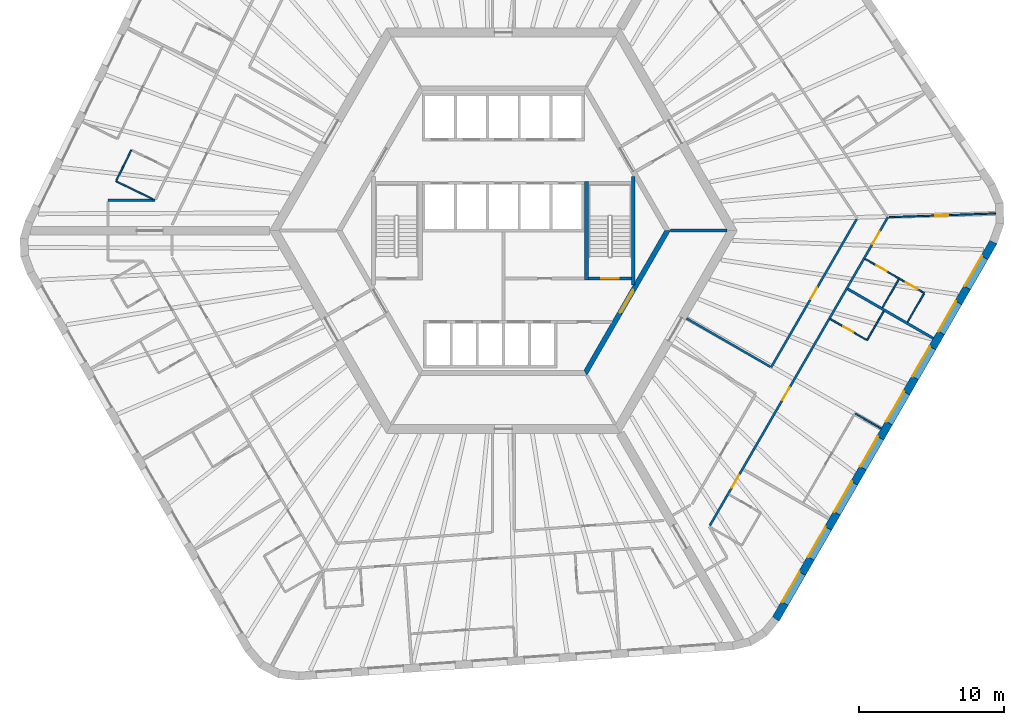
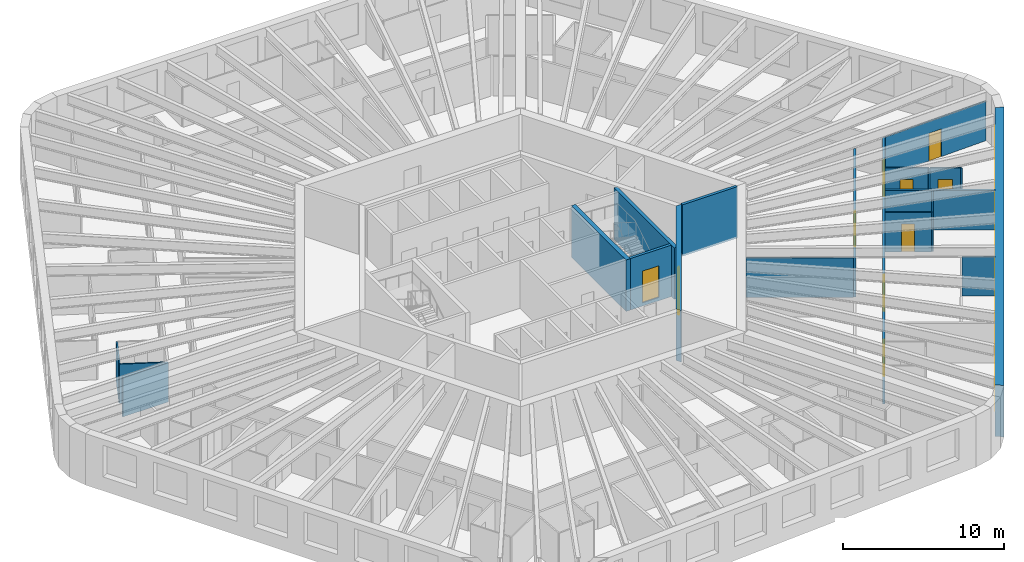
# One storey, part 6 of 12: 21 walls, 10 doors, 8 windows, 18 openings.
"""IFC4 building model written with IfcOpenShell, lengths in metres."""

from ifc_helpers import new_model, si_unit, direction, frame, frame_2d, origin, place, context, subcontext, project, spatial, polyline, rectangle, outline, extrude, material, layer, layer_set, type_object, element, fill, save


model = new_model("IFC4")

# Units and contexts
model_context = context("Model", 3, precision=1e-05, world=origin(), true_north=direction((0.0, 1.0)))
body_context = subcontext(model_context, "Body", "Model", "MODEL_VIEW")
ifc_project = project(units=[si_unit("LENGTHUNIT", "METRE"), si_unit("AREAUNIT", "SQUARE_METRE"), si_unit("VOLUMEUNIT", "CUBIC_METRE"), si_unit("PLANEANGLEUNIT", "RADIAN"), si_unit("MASSUNIT", "GRAM", prefix="KILO")], contexts=[model_context])

# Site, building, storey
site_placement = place(None, origin())
site = spatial("IfcSite", under=ifc_project, at=site_placement, CompositionType="ELEMENT")
building_placement = place(site_placement, origin())
building = spatial("IfcBuilding", under=site, at=building_placement, Name="Tarnside Tower", CompositionType="ELEMENT")
storey_placement = place(building_placement, frame((0.0, 0.0, 53.10009765625)))
storey = spatial("IfcBuildingStorey", under=building, at=storey_placement, Name="L10", CompositionType="ELEMENT", Elevation=53.10009765625)

# Walls
ifc_material_1 = material(Name="Gypsum board partition on steel studs", Category="steel")
ifc_layer_1 = layer(ifc_material_1, 0.10009765625)
ifc_layer_set_1 = layer_set([ifc_layer_1], Name="Bathroom wall 100")
wall_type_1 = type_object("IfcWallType", Name="Bathroom wall 100", PredefinedType="PARTITIONING", material=ifc_layer_set_1)
wall_1_placement = place(storey_placement, frame((-24.21875, 2.175048828125, 0.0), z_axis=(0.0, 0.0, 1.0), x_axis=(-0.898802451516, 0.438353913122, 0.0)))
element("IfcWall", 1, at=wall_1_placement, inside=storey, type_object=wall_type_1, Name="Bathroom wall 02096", PredefinedType="PARTITIONING", context=body_context, shape_type="SweptSolid", body=[
    extrude(rectangle(XDim=2.828857421875, YDim=0.10009765625, at=frame_2d((1.41455078125, 0.0))), origin(), (0.0, 0.0, 1.0), 2.98779296875),
])
wall_2_placement = place(storey_placement, frame((-26.739501953125, 3.4599609375, 0.0), z_axis=(0.0, 0.0, 1.0), x_axis=(0.438382697704, 0.89878841245, 0.0)))
element("IfcWall", 2, at=wall_2_placement, inside=storey, type_object=wall_type_1, Name="Bathroom wall 02097", PredefinedType="PARTITIONING", context=body_context, shape_type="SweptSolid", body=[
    extrude(rectangle(XDim=2.35009765625, YDim=0.10009765625, at=frame_2d((1.175048828125, 0.0))), origin(), (0.0, 0.0, 1.0), 2.98779296875),
])
wall_3_placement = place(storey_placement, frame((26.28759765625, -5.56884765625, 0.0), z_axis=(0.0, 0.0, 1.0), x_axis=(-0.500015210774, -0.866016621662, 0.0)))
element("IfcWall", 3, at=wall_3_placement, inside=storey, type_object=wall_type_1, Name="Bathroom wall 02133", PredefinedType="PARTITIONING", context=body_context, shape_type="SweptSolid", body=[
    extrude(rectangle(XDim=2.31005859375, YDim=0.10009765625, at=frame_2d((1.155029296875, 0.0))), origin(), (0.0, 0.0, 1.0), 2.98779296875),
])

# Wall, opening, door
wall_4_placement = place(storey_placement, frame((25.089111328125, -7.544189453125, 0.0), z_axis=(0.0, 0.0, 1.0), x_axis=(-0.866018712932, 0.500011588718, 0.0)))
wall_4 = element("IfcWall", 4, at=wall_4_placement, inside=storey, type_object=wall_type_1, Name="Bathroom wall 02134", PredefinedType="PARTITIONING", context=body_context, shape_type="SweptSolid", body=[
    extrude(rectangle(XDim=2.875, YDim=0.10009765625, at=frame_2d((1.4375, 0.0))), origin(), (0.0, 0.0, 1.0), 2.98779296875),
])
opening_1_placement = place(wall_4_placement, frame((1.050048828125, 0.0, 0.0)))
opening_1 = element("IfcOpeningElement", 5, at=opening_1_placement, cuts=wall_4, Name="Opening D-B1", PredefinedType="OPENING", context=body_context, shape_type="SweptSolid", body=[
    extrude(rectangle(XDim=0.800048828125, YDim=2.10009765625, at=frame_2d((0.39990234375, 1.050048828125))), frame((0.0, 0.06005859375, 0.0), z_axis=(0.0, -1.0, 0.0), x_axis=(1.0, 0.0, 0.0)), (0.0, 0.0, 1.0), 0.1201171875),
])
ifc_material_2 = material(Name="Timber door leaf", Category="wood")
door_type_1 = type_object("IfcDoorType", Name="Bathroom door 800", OperationType="NOTDEFINED", PredefinedType="DOOR", material=ifc_material_2)
door_1_placement = place(opening_1_placement, origin())
door_1 = element("IfcDoor", 6, at=door_1_placement, inside=storey, type_object=door_type_1, Name="Bathroom door 02031", OperationType="SINGLE_SWING_LEFT", OverallHeight=2.10009765625, OverallWidth=0.800048828125, PredefinedType="DOOR", context=body_context, shape_type="SweptSolid", body=[
    extrude(rectangle(XDim=0.800048828125, YDim=2.10009765625, at=frame_2d((0.39990234375, 1.050048828125))), frame((0.0, 0.02490234375, 0.0), z_axis=(0.0, -1.0, 0.0), x_axis=(1.0, 0.0, 0.0)), (0.0, 0.0, 1.0), 0.050048828125),
])
fill(opening_1, door_1)

wall_5_placement = place(storey_placement, frame((24.999267578125, -1.949951171875, 0.0), z_axis=(0.0, 0.0, 1.0), x_axis=(0.866073700213, -0.499916338801, 0.0)))
wall_5 = element("IfcWall", 7, at=wall_5_placement, inside=storey, type_object=wall_type_1, Name="Bathroom wall 02141", PredefinedType="PARTITIONING", context=body_context, shape_type="SweptSolid", body=[
    extrude(rectangle(XDim=2.72509765625, YDim=0.10009765625, at=frame_2d((1.362548828125, 0.0))), origin(), (0.0, 0.0, 1.0), 2.98779296875),
])
opening_2_placement = place(wall_5_placement, frame((0.925048828125, 0.0, 0.0)))
opening_2 = element("IfcOpeningElement", 8, at=opening_2_placement, cuts=wall_5, Name="Opening D-B1", PredefinedType="OPENING", context=body_context, shape_type="SweptSolid", body=[
    extrude(rectangle(XDim=0.800048828125, YDim=2.10009765625, at=frame_2d((0.39990234375, 1.050048828125))), frame((0.0, 0.06005859375, 0.0), z_axis=(0.0, -1.0, 0.0), x_axis=(1.0, 0.0, 0.0)), (0.0, 0.0, 1.0), 0.1201171875),
])
door_2_placement = place(opening_2_placement, origin())
door_2 = element("IfcDoor", 9, at=door_2_placement, inside=storey, type_object=door_type_1, Name="Bathroom door 02034", OperationType="SINGLE_SWING_RIGHT", OverallHeight=2.10009765625, OverallWidth=0.800048828125, PredefinedType="DOOR", context=body_context, shape_type="SweptSolid", body=[
    extrude(rectangle(XDim=0.800048828125, YDim=2.10009765625, at=frame_2d((0.39990234375, 1.050048828125))), frame((0.0, 0.02490234375, 0.0), z_axis=(0.0, -1.0, 0.0), x_axis=(1.0, 0.0, 0.0)), (0.0, 0.0, 1.0), 0.050048828125),
])
fill(opening_2, door_2)

# Wall
wall_6_placement = place(storey_placement, frame((26.204345703125, -5.31298828125, 0.0), z_axis=(0.0, 0.0, 1.0), x_axis=(0.49995000081, 0.866054268906, 0.0)))
element("IfcWall", 10, at=wall_6_placement, inside=storey, type_object=wall_type_1, Name="Bathroom wall 02145", PredefinedType="PARTITIONING", context=body_context, shape_type="SweptSolid", body=[
    extrude(rectangle(XDim=2.260009765625, YDim=0.10009765625, at=frame_2d((1.1298828125, 0.0))), origin(), (0.0, 0.0, 1.0), 2.98779296875),
])

# Wall, opening, door
ifc_material_3 = material(Name="Concrete C50/60", Category="concrete")
ifc_layer_2 = layer(ifc_material_3, 0.35009765625)
ifc_layer_set_2 = layer_set([ifc_layer_2], Name="Core block wall 350 C50/60")
wall_type_2 = type_object("IfcWallType", Name="Core block wall 350 C50/60", PredefinedType="SHEAR", material=ifc_layer_set_2)
wall_7_placement = place(storey_placement, frame((5.672607421875, -9.824951171875, -0.150146484375), z_axis=(0.0, 0.0, 1.0), x_axis=(0.499995046907, 0.866028263435, 0.0)))
wall_7 = element("IfcWall", 11, at=wall_7_placement, inside=storey, type_object=wall_type_2, Name="L10 core block wall face 5", PredefinedType="SHEAR", context=body_context, shape_type="SweptSolid", body=[
    extrude(outline(polyline([(-0.10107421875, -0.175048828125), (11.44580078125, -0.175048828125), (11.24365234375, 0.175048828125), (0.10107421875, 0.175048828125), (-0.10107421875, -0.175048828125)])), origin(), (0.0, 0.0, 1.0), 3.900146484375),
])
opening_3_placement = place(wall_7_placement, frame((4.80126953125, 0.0, 0.14990234375)))
opening_3 = element("IfcOpeningElement", 12, at=opening_3_placement, cuts=wall_7, Name="Opening CD-FFL", PredefinedType="OPENING", context=body_context, shape_type="SweptSolid", body=[
    extrude(rectangle(XDim=1.800048828125, YDim=2.39990234375, at=frame_2d((0.89990234375, 1.199951171875))), frame((0.0, 0.18505859375, 0.0), z_axis=(0.0, -1.0, 0.0), x_axis=(1.0, 0.0, 0.0)), (0.0, 0.0, 1.0), 0.3701171875),
])
ifc_material_4 = material(Name="Steel fire door", Category="steel")
door_type_2 = type_object("IfcDoorType", Name="Firefighting lobby double door FD60S 1800x2400", OperationType="NOTDEFINED", PredefinedType="DOOR", material=ifc_material_4)
door_3_placement = place(opening_3_placement, origin())
door_3 = element("IfcDoor", 13, at=door_3_placement, inside=storey, type_object=door_type_2, Name="L10 lobby block door P4", OperationType="DOUBLE_DOOR_SINGLE_SWING", OverallHeight=2.39990234375, OverallWidth=1.800048828125, PredefinedType="DOOR", context=body_context, shape_type="SweptSolid", body=[
    extrude(rectangle(XDim=1.800048828125, YDim=2.39990234375, at=frame_2d((0.89990234375, 1.199951171875))), frame((0.0, 0.02490234375, 0.0), z_axis=(0.0, -1.0, 0.0), x_axis=(1.0, 0.0, 0.0)), (0.0, 0.0, 1.0), 0.050048828125),
])
fill(opening_3, door_3)

# Wall
ifc_layer_3 = layer(ifc_material_1, 0.14990234375)
ifc_layer_set_3 = layer_set([ifc_layer_3], Name="Corridor wall 150 EI 60")
wall_type_3 = type_object("IfcWallType", Name="Corridor wall 150 EI 60", PredefinedType="PARTITIONING", material=ifc_layer_set_3)
wall_8_placement = place(storey_placement, frame((-24.06494140625, 2.10009765625, 0.0), z_axis=(0.0, 0.0, 1.0), x_axis=(-1.0, 0.0, 0.0)))
element("IfcWall", 14, at=wall_8_placement, inside=storey, type_object=wall_type_3, Name="Corridor wall 02009", PredefinedType="PARTITIONING", context=body_context, shape_type="SweptSolid", body=[
    extrude(rectangle(XDim=3.25537109375, YDim=0.14990234375, at=frame_2d((1.627685546875, 0.0))), origin(), (0.0, 0.0, 1.0), 2.98779296875),
])

# Wall, openings, doors
wall_9_placement = place(storey_placement, frame((14.27490234375, -20.375, 0.0), z_axis=(0.0, 0.0, 1.0), x_axis=(0.500001098408, 0.866024769617, 0.0)))
wall_9 = element("IfcWall", 15, at=wall_9_placement, inside=storey, type_object=wall_type_3, Name="Corridor wall 02050", PredefinedType="PARTITIONING", context=body_context, shape_type="SweptSolid", body=[
    extrude(rectangle(XDim=24.5986328125, YDim=0.14990234375, at=frame_2d((12.29931640625, 0.0))), origin(), (0.0, 0.0, 1.0), 2.98779296875),
])
opening_4_placement = place(wall_9_placement, frame((3.01611328125, 0.0, 0.0)))
opening_4 = element("IfcOpeningElement", 16, at=opening_4_placement, cuts=wall_9, Name="Opening D-E1", PredefinedType="OPENING", context=body_context, shape_type="SweptSolid", body=[
    extrude(rectangle(XDim=1.0, YDim=2.10009765625, at=frame_2d((0.5, 1.050048828125))), frame((0.0, 0.0849609375, 0.0), z_axis=(0.0, -1.0, 0.0), x_axis=(1.0, 0.0, 0.0)), (0.0, 0.0, 1.0), 0.169921875),
])
opening_5_placement = place(wall_9_placement, frame((10.018798828125, 0.0, 0.0)))
opening_5 = element("IfcOpeningElement", 17, at=opening_5_placement, cuts=wall_9, Name="Opening D-E1", PredefinedType="OPENING", context=body_context, shape_type="SweptSolid", body=[
    extrude(rectangle(XDim=1.0, YDim=2.10009765625, at=frame_2d((0.5, 1.050048828125))), frame((0.0, 0.0849609375, 0.0), z_axis=(0.0, -1.0, 0.0), x_axis=(1.0, 0.0, 0.0)), (0.0, 0.0, 1.0), 0.169921875),
])
opening_6_placement = place(wall_9_placement, frame((22.458740234375, 0.0, 0.0)))
opening_6 = element("IfcOpeningElement", 18, at=opening_6_placement, cuts=wall_9, Name="Opening D-E1", PredefinedType="OPENING", context=body_context, shape_type="SweptSolid", body=[
    extrude(rectangle(XDim=1.0, YDim=2.10009765625, at=frame_2d((0.5, 1.050048828125))), frame((0.0, 0.0849609375, 0.0), z_axis=(0.0, -1.0, 0.0), x_axis=(1.0, 0.0, 0.0)), (0.0, 0.0, 1.0), 0.169921875),
])
door_type_3 = type_object("IfcDoorType", Name="Unit entrance door 1000 FD30S", OperationType="NOTDEFINED", PredefinedType="DOOR", material=ifc_material_2)
door_4_placement = place(opening_4_placement, origin())
door_4 = element("IfcDoor", 19, at=door_4_placement, inside=storey, type_object=door_type_3, Name="Unit door 02028", OperationType="SINGLE_SWING_RIGHT", OverallHeight=2.10009765625, OverallWidth=1.0, PredefinedType="DOOR", context=body_context, shape_type="SweptSolid", body=[
    extrude(rectangle(XDim=1.0, YDim=2.10009765625, at=frame_2d((0.5, 1.050048828125))), frame((0.0, 0.02490234375, 0.0), z_axis=(0.0, -1.0, 0.0), x_axis=(1.0, 0.0, 0.0)), (0.0, 0.0, 1.0), 0.050048828125),
])
fill(opening_4, door_4)
door_5_placement = place(opening_5_placement, origin())
door_5 = element("IfcDoor", 20, at=door_5_placement, inside=storey, type_object=door_type_3, Name="Unit door 02030", OperationType="SINGLE_SWING_LEFT", OverallHeight=2.10009765625, OverallWidth=1.0, PredefinedType="DOOR", context=body_context, shape_type="SweptSolid", body=[
    extrude(rectangle(XDim=1.0, YDim=2.10009765625, at=frame_2d((0.5, 1.050048828125))), frame((0.0, 0.02490234375, 0.0), z_axis=(0.0, -1.0, 0.0), x_axis=(1.0, 0.0, 0.0)), (0.0, 0.0, 1.0), 0.050048828125),
])
fill(opening_5, door_5)
door_6_placement = place(opening_6_placement, origin())
door_6 = element("IfcDoor", 21, at=door_6_placement, inside=storey, type_object=door_type_3, Name="Unit door 02033", OperationType="SINGLE_SWING_LEFT", OverallHeight=2.10009765625, OverallWidth=1.0, PredefinedType="DOOR", context=body_context, shape_type="SweptSolid", body=[
    extrude(rectangle(XDim=1.0, YDim=2.10009765625, at=frame_2d((0.5, 1.050048828125))), frame((0.0, 0.02490234375, 0.0), z_axis=(0.0, -1.0, 0.0), x_axis=(1.0, 0.0, 0.0)), (0.0, 0.0, 1.0), 0.050048828125),
])
fill(opening_6, door_6)

# Wall, opening, door
wall_10_placement = place(storey_placement, frame((24.411376953125, 0.78173828125, 0.0), z_axis=(0.0, 0.0, 1.0), x_axis=(-0.499996383721, -0.866027491634, 0.0)))
wall_10 = element("IfcWall", 22, at=wall_10_placement, inside=storey, type_object=wall_type_3, Name="Corridor wall 02065", PredefinedType="PARTITIONING", context=body_context, shape_type="SweptSolid", body=[
    extrude(rectangle(XDim=11.8037109375, YDim=0.14990234375, at=frame_2d((5.90185546875, 0.0))), origin(), (0.0, 0.0, 1.0), 2.98779296875),
])
opening_7_placement = place(wall_10_placement, frame((5.451904296875, 0.0, 0.0)))
opening_7 = element("IfcOpeningElement", 23, at=opening_7_placement, cuts=wall_10, Name="Opening D-S1", PredefinedType="OPENING", context=body_context, shape_type="SweptSolid", body=[
    extrude(rectangle(XDim=0.89990234375, YDim=2.10009765625, at=frame_2d((0.449951171875, 1.050048828125))), frame((0.0, 0.0849609375, 0.0), z_axis=(0.0, -1.0, 0.0), x_axis=(1.0, 0.0, 0.0)), (0.0, 0.0, 1.0), 0.169921875),
])
door_type_4 = type_object("IfcDoorType", Name="Service room door 900 FD30S", OperationType="NOTDEFINED", PredefinedType="DOOR", material=ifc_material_2)
door_7_placement = place(opening_7_placement, origin())
door_7 = element("IfcDoor", 24, at=door_7_placement, inside=storey, type_object=door_type_4, Name="Service door 02047", OperationType="SINGLE_SWING_RIGHT", OverallHeight=2.10009765625, OverallWidth=0.89990234375, PredefinedType="DOOR", context=body_context, shape_type="SweptSolid", body=[
    extrude(rectangle(XDim=0.89990234375, YDim=2.10009765625, at=frame_2d((0.449951171875, 1.050048828125))), frame((0.0, 0.02490234375, 0.0), z_axis=(0.0, -1.0, 0.0), x_axis=(1.0, 0.0, 0.0)), (0.0, 0.0, 1.0), 0.050048828125),
])
fill(opening_7, door_7)

# Walls
wall_11_placement = place(storey_placement, frame((18.444580078125, -9.403076171875, 0.0), z_axis=(0.0, 0.0, 1.0), x_axis=(-0.866033317326, 0.499986293093, 0.0)))
element("IfcWall", 25, at=wall_11_placement, inside=storey, type_object=wall_type_3, Name="Corridor wall 02066", PredefinedType="PARTITIONING", context=body_context, shape_type="SweptSolid", body=[
    extrude(rectangle(XDim=6.675048828125, YDim=0.14990234375, at=frame_2d((3.33740234375, 0.0))), origin(), (0.0, 0.0, 1.0), 2.98779296875),
])
ifc_layer_4 = layer(ifc_material_1, 0.179931640625)
ifc_layer_set_4 = layer_set([ifc_layer_4], Name="Demising wall 180 EI 60")
wall_type_4 = type_object("IfcWallType", Name="Demising wall 180 EI 60", PredefinedType="PARTITIONING", material=ifc_layer_set_4)
wall_12_placement = place(storey_placement, frame((29.7099609375, -7.44091796875, 0.0), z_axis=(0.0, 0.0, 1.0), x_axis=(-0.866019982719, 0.500009389444, 0.0)))
element("IfcWall", 26, at=wall_12_placement, inside=storey, type_object=wall_type_4, Name="Demising wall 02137", PredefinedType="PARTITIONING", context=body_context, shape_type="SweptSolid", body=[
    extrude(rectangle(XDim=6.824951171875, YDim=0.179931640625, at=frame_2d((3.41259765625, 0.0))), origin(), (0.0, 0.0, 1.0), 2.98779296875),
])
ifc_material_5 = material(Name="Concrete C40/50", Category="concrete")
ifc_layer_5 = layer(ifc_material_5, 0.199951171875)
ifc_layer_set_5 = layer_set([ifc_layer_5], Name="Lift shaft wall 200 C40/50")
wall_type_5 = type_object("IfcWallType", Name="Lift shaft wall 200 C40/50", PredefinedType="SHEAR", material=ifc_layer_set_5)
wall_13_placement = place(storey_placement, frame((11.547119140625, 0.0, -0.150146484375), z_axis=(0.0, 0.0, 1.0), x_axis=(1.0, 0.0, 0.0)))
element("IfcWall", 27, at=wall_13_placement, inside=storey, type_object=wall_type_5, Name="L10 core partition AR0", PredefinedType="SHEAR", context=body_context, shape_type="SweptSolid", body=[
    extrude(rectangle(XDim=3.92578125, YDim=0.199951171875, at=frame_2d((1.962890625, 0.0))), origin(), (0.0, 0.0, 1.0), 3.900146484375),
])

# Wall, opening, door
wall_14_placement = place(storey_placement, frame((5.89990234375, -3.300048828125, -0.25), z_axis=(0.0, 0.0, 1.0), x_axis=(1.0, 0.0, 0.0)))
wall_14 = element("IfcWall", 28, at=wall_14_placement, inside=storey, type_object=wall_type_5, Name="L10 stair 1 enclosure cap wall s", PredefinedType="SHEAR", context=body_context, shape_type="SweptSolid", body=[
    extrude(rectangle(XDim=2.9501953125, YDim=0.199951171875, at=frame_2d((1.47509765625, 0.0))), origin(), (0.0, 0.0, 1.0), 3.89990234375),
])
opening_8_placement = place(wall_14_placement, frame((0.875, 0.0, 0.25)))
opening_8 = element("IfcOpeningElement", 29, at=opening_8_placement, cuts=wall_14, Name="Opening CD-STR", PredefinedType="OPENING", context=body_context, shape_type="SweptSolid", body=[
    extrude(rectangle(XDim=1.199951171875, YDim=2.39990234375, at=frame_2d((0.60009765625, 1.199951171875))), frame((0.0, 0.10986328125, 0.0), z_axis=(0.0, -1.0, 0.0), x_axis=(1.0, 0.0, 0.0)), (0.0, 0.0, 1.0), 0.219970703125),
])
door_type_5 = type_object("IfcDoorType", Name="Stair door FD60S 1200x2400", OperationType="NOTDEFINED", PredefinedType="DOOR", material=ifc_material_4)
door_8_placement = place(opening_8_placement, origin())
door_8 = element("IfcDoor", 30, at=door_8_placement, inside=storey, type_object=door_type_5, Name="L10 stair 1 door", OperationType="SINGLE_SWING_LEFT", OverallHeight=2.39990234375, OverallWidth=1.199951171875, PredefinedType="DOOR", context=body_context, shape_type="SweptSolid", body=[
    extrude(rectangle(XDim=1.199951171875, YDim=2.39990234375, at=frame_2d((0.60009765625, 1.199951171875))), frame((0.0, 0.02490234375, 0.0), z_axis=(0.0, -1.0, 0.0), x_axis=(1.0, 0.0, 0.0)), (0.0, 0.0, 1.0), 0.050048828125),
])
fill(opening_8, door_8)

# Wall
ifc_layer_6 = layer(ifc_material_1, 0.10009765625)
ifc_layer_set_6 = layer_set([ifc_layer_6], Name="Partition 100")
wall_type_6 = type_object("IfcWallType", Name="Partition 100", PredefinedType="PARTITIONING", material=ifc_layer_set_6)
wall_15_placement = place(storey_placement, frame((24.334716796875, -12.651123046875, 0.0), z_axis=(0.0, 0.0, 1.0), x_axis=(0.865969381856, -0.500097020274, 0.0)))
element("IfcWall", 31, at=wall_15_placement, inside=storey, type_object=wall_type_6, Name="Partition wall 02136", PredefinedType="PARTITIONING", context=body_context, shape_type="SweptSolid", body=[
    extrude(rectangle(XDim=2.0498046875, YDim=0.10009765625, at=frame_2d((1.02490234375, 0.0))), origin(), (0.0, 0.0, 1.0), 2.98779296875),
])

# Wall, opening, door
wall_16_placement = place(storey_placement, frame((27.402587890625, -3.33740234375, 0.0), z_axis=(0.0, 0.0, 1.0), x_axis=(0.866054235095, -0.49995005938, 0.0)))
wall_16 = element("IfcWall", 32, at=wall_16_placement, inside=storey, type_object=wall_type_6, Name="Partition wall 02142", PredefinedType="PARTITIONING", context=body_context, shape_type="SweptSolid", body=[
    extrude(rectangle(XDim=1.949951171875, YDim=0.10009765625, at=frame_2d((0.97509765625, 0.0))), origin(), (0.0, 0.0, 1.0), 2.98779296875),
])
opening_9_placement = place(wall_16_placement, frame((0.5, 0.0, 0.0)))
opening_9 = element("IfcOpeningElement", 33, at=opening_9_placement, cuts=wall_16, Name="Opening D-I1", PredefinedType="OPENING", context=body_context, shape_type="SweptSolid", body=[
    extrude(rectangle(XDim=0.89990234375, YDim=2.10009765625, at=frame_2d((0.449951171875, 1.050048828125))), frame((0.0, 0.06005859375, 0.0), z_axis=(0.0, -1.0, 0.0), x_axis=(1.0, 0.0, 0.0)), (0.0, 0.0, 1.0), 0.1201171875),
])
door_type_6 = type_object("IfcDoorType", Name="Internal door 900", OperationType="NOTDEFINED", PredefinedType="DOOR", material=ifc_material_2)
door_9_placement = place(opening_9_placement, origin())
door_9 = element("IfcDoor", 34, at=door_9_placement, inside=storey, type_object=door_type_6, Name="Internal door 02035", OperationType="SINGLE_SWING_RIGHT", OverallHeight=2.10009765625, OverallWidth=0.89990234375, PredefinedType="DOOR", context=body_context, shape_type="SweptSolid", body=[
    extrude(rectangle(XDim=0.89990234375, YDim=2.10009765625, at=frame_2d((0.449951171875, 1.050048828125))), frame((0.0, 0.02490234375, 0.0), z_axis=(0.0, -1.0, 0.0), x_axis=(1.0, 0.0, 0.0)), (0.0, 0.0, 1.0), 0.050048828125),
])
fill(opening_9, door_9)

# Wall
wall_17_placement = place(storey_placement, frame((29.06640625, -4.355712890625, 0.0), z_axis=(0.0, 0.0, 1.0), x_axis=(-0.500031020067, -0.8660074936, 0.0)))
element("IfcWall", 35, at=wall_17_placement, inside=storey, type_object=wall_type_6, Name="Partition wall 02143", PredefinedType="PARTITIONING", context=body_context, shape_type="SweptSolid", body=[
    extrude(rectangle(XDim=2.260009765625, YDim=0.10009765625, at=frame_2d((1.1298828125, 0.0))), origin(), (0.0, 0.0, 1.0), 2.98779296875),
])

# Wall, opening, door
wall_18_placement = place(storey_placement, frame((34.0234375, 1.188232421875, 0.0), z_axis=(0.0, 0.0, 1.0), x_axis=(-0.999390666539, -0.034904091936, 0.0)))
wall_18 = element("IfcWall", 36, at=wall_18_placement, inside=storey, type_object=wall_type_6, Name="Partition wall 02144", PredefinedType="PARTITIONING", context=body_context, shape_type="SweptSolid", body=[
    extrude(rectangle(XDim=7.365234375, YDim=0.10009765625, at=frame_2d((3.6826171875, 0.0))), origin(), (0.0, 0.0, 1.0), 2.98779296875),
])
opening_10_placement = place(wall_18_placement, frame((3.27685546875, 0.0, 0.0)))
opening_10 = element("IfcOpeningElement", 37, at=opening_10_placement, cuts=wall_18, Name="Opening D-I1", PredefinedType="OPENING", context=body_context, shape_type="SweptSolid", body=[
    extrude(rectangle(XDim=0.89990234375, YDim=2.10009765625, at=frame_2d((0.449951171875, 1.050048828125))), frame((0.0, 0.06005859375, 0.0), z_axis=(0.0, -1.0, 0.0), x_axis=(1.0, 0.0, 0.0)), (0.0, 0.0, 1.0), 0.1201171875),
])
door_10_placement = place(opening_10_placement, origin())
door_10 = element("IfcDoor", 38, at=door_10_placement, inside=storey, type_object=door_type_6, Name="Internal door 02036", OperationType="SINGLE_SWING_LEFT", OverallHeight=2.10009765625, OverallWidth=0.89990234375, PredefinedType="DOOR", context=body_context, shape_type="SweptSolid", body=[
    extrude(rectangle(XDim=0.89990234375, YDim=2.10009765625, at=frame_2d((0.449951171875, 1.050048828125))), frame((0.0, 0.02490234375, 0.0), z_axis=(0.0, -1.0, 0.0), x_axis=(1.0, 0.0, 0.0)), (0.0, 0.0, 1.0), 0.050048828125),
])
fill(opening_10, door_10)

# Walls
ifc_layer_7 = layer(ifc_material_5, 0.25)
ifc_layer_set_7 = layer_set([ifc_layer_7], Name="Stair enclosure wall 250 C40/50")
wall_type_7 = type_object("IfcWallType", Name="Stair enclosure wall 250 C40/50", PredefinedType="SHEAR", material=ifc_layer_set_7)
wall_19_placement = place(storey_placement, frame((8.97509765625, -3.7548828125, -0.25), z_axis=(0.0, 0.0, 1.0), x_axis=(0.0, 1.0, 0.0)))
element("IfcWall", 39, at=wall_19_placement, inside=storey, type_object=wall_type_7, Name="L10 stair 1 enclosure wall outer", PredefinedType="SHEAR", context=body_context, shape_type="SweptSolid", body=[
    extrude(rectangle(XDim=7.509765625, YDim=0.25, at=frame_2d((3.7548828125, 0.0))), origin(), (0.0, 0.0, 1.0), 3.89990234375),
])
ifc_layer_8 = layer(ifc_material_5, 0.300048828125)
ifc_layer_set_8 = layer_set([ifc_layer_8], Name="Stair enclosure wall 300 C40/50")
wall_type_8 = type_object("IfcWallType", Name="Stair enclosure wall 300 C40/50", PredefinedType="SHEAR", material=ifc_layer_set_8)
wall_20_placement = place(storey_placement, frame((5.75, -3.39990234375, -0.25), z_axis=(0.0, 0.0, 1.0), x_axis=(0.0, 1.0, 0.0)))
element("IfcWall", 40, at=wall_20_placement, inside=storey, type_object=wall_type_8, Name="L10 stair 1 enclosure wall inner", PredefinedType="SHEAR", context=body_context, shape_type="SweptSolid", body=[
    extrude(rectangle(XDim=6.7998046875, YDim=0.300048828125, at=frame_2d((3.39990234375, 0.0))), origin(), (0.0, 0.0, 1.0), 3.89990234375),
])

# Wall, openings, windows
ifc_material_6 = material(Name="Facing brick", Category="masonry")
ifc_layer_9 = layer(ifc_material_6, 0.10205078125)
ifc_material_7 = material(Name="Concrete C60/75 precast", Category="concrete")
ifc_layer_10 = layer(ifc_material_7, 0.347900390625)
ifc_material_8 = material(Name="Mineral wool insulation")
ifc_layer_11 = layer(ifc_material_8, 0.10009765625)
ifc_layer_set_9 = layer_set([ifc_layer_9, ifc_layer_10, ifc_layer_11], Name="Tube wall 550 brick faced")
wall_type_9 = type_object("IfcWallType", Name="Tube wall 550 brick faced", PredefinedType="SOLIDWALL", material=ifc_layer_set_9)
wall_21_placement = place(storey_placement, frame((18.830322265625, -26.834716796875, -0.150146484375), z_axis=(0.0, 0.0, 1.0), x_axis=(0.500003800416, 0.866023209602, 0.0)))
wall_21 = element("IfcWall", 41, at=wall_21_placement, inside=storey, type_object=wall_type_9, Name="Tube wall L10 F5 flush 16", PredefinedType="SOLIDWALL", context=body_context, shape_type="SweptSolid", body=[
    extrude(outline(polyline([(-0.0224609375, -0.27490234375), (30.0966796875, -0.27490234375), (30.04541015625, 0.27490234375), (0.0224609375, 0.27490234375), (-0.0224609375, -0.27490234375)])), origin(), (0.0, 0.0, 1.0), 3.900146484375),
])
opening_11_placement = place(wall_21_placement, frame((1.235595703125, 0.0, 1.050048828125)))
opening_11 = element("IfcOpeningElement", 42, at=opening_11_placement, cuts=wall_21, Name="Opening WH", PredefinedType="OPENING", context=body_context, shape_type="SweptSolid", body=[
    extrude(rectangle(XDim=2.39990234375, YDim=2.39990234375, at=frame_2d((1.199951171875, 1.199951171875))), frame((0.0, 0.28515625, 0.0), z_axis=(0.0, -1.0, 0.0), x_axis=(1.0, 0.0, 0.0)), (0.0, 0.0, 1.0), 0.570068359375),
])
opening_12_placement = place(wall_21_placement, frame((4.83544921875, 0.0, 1.050048828125)))
opening_12 = element("IfcOpeningElement", 43, at=opening_12_placement, cuts=wall_21, Name="Opening WH", PredefinedType="OPENING", context=body_context, shape_type="SweptSolid", body=[
    extrude(rectangle(XDim=2.39990234375, YDim=2.39990234375, at=frame_2d((1.199951171875, 1.199951171875))), frame((0.0, 0.28515625, 0.0), z_axis=(0.0, -1.0, 0.0), x_axis=(1.0, 0.0, 0.0)), (0.0, 0.0, 1.0), 0.570068359375),
])
opening_13_placement = place(wall_21_placement, frame((8.435546875, 0.0, 1.050048828125)))
opening_13 = element("IfcOpeningElement", 44, at=opening_13_placement, cuts=wall_21, Name="Opening WH", PredefinedType="OPENING", context=body_context, shape_type="SweptSolid", body=[
    extrude(rectangle(XDim=2.39990234375, YDim=2.39990234375, at=frame_2d((1.199951171875, 1.199951171875))), frame((0.0, 0.28515625, 0.0), z_axis=(0.0, -1.0, 0.0), x_axis=(1.0, 0.0, 0.0)), (0.0, 0.0, 1.0), 0.570068359375),
])
opening_14_placement = place(wall_21_placement, frame((12.035400390625, 0.0, 1.050048828125)))
opening_14 = element("IfcOpeningElement", 45, at=opening_14_placement, cuts=wall_21, Name="Opening WH", PredefinedType="OPENING", context=body_context, shape_type="SweptSolid", body=[
    extrude(rectangle(XDim=2.39990234375, YDim=2.39990234375, at=frame_2d((1.199951171875, 1.199951171875))), frame((0.0, 0.28515625, 0.0), z_axis=(0.0, -1.0, 0.0), x_axis=(1.0, 0.0, 0.0)), (0.0, 0.0, 1.0), 0.570068359375),
])
opening_15_placement = place(wall_21_placement, frame((15.635498046875, 0.0, 1.050048828125)))
opening_15 = element("IfcOpeningElement", 46, at=opening_15_placement, cuts=wall_21, Name="Opening WH", PredefinedType="OPENING", context=body_context, shape_type="SweptSolid", body=[
    extrude(rectangle(XDim=2.39990234375, YDim=2.39990234375, at=frame_2d((1.199951171875, 1.199951171875))), frame((0.0, 0.28515625, 0.0), z_axis=(0.0, -1.0, 0.0), x_axis=(1.0, 0.0, 0.0)), (0.0, 0.0, 1.0), 0.570068359375),
])
opening_16_placement = place(wall_21_placement, frame((19.235595703125, 0.0, 1.050048828125)))
opening_16 = element("IfcOpeningElement", 47, at=opening_16_placement, cuts=wall_21, Name="Opening WH", PredefinedType="OPENING", context=body_context, shape_type="SweptSolid", body=[
    extrude(rectangle(XDim=2.39990234375, YDim=2.39990234375, at=frame_2d((1.199951171875, 1.199951171875))), frame((0.0, 0.28515625, 0.0), z_axis=(0.0, -1.0, 0.0), x_axis=(1.0, 0.0, 0.0)), (0.0, 0.0, 1.0), 0.570068359375),
])
opening_17_placement = place(wall_21_placement, frame((22.83544921875, 0.0, 1.050048828125)))
opening_17 = element("IfcOpeningElement", 48, at=opening_17_placement, cuts=wall_21, Name="Opening WH", PredefinedType="OPENING", context=body_context, shape_type="SweptSolid", body=[
    extrude(rectangle(XDim=2.39990234375, YDim=2.39990234375, at=frame_2d((1.199951171875, 1.199951171875))), frame((0.0, 0.28515625, 0.0), z_axis=(0.0, -1.0, 0.0), x_axis=(1.0, 0.0, 0.0)), (0.0, 0.0, 1.0), 0.570068359375),
])
opening_18_placement = place(wall_21_placement, frame((26.435546875, 0.0, 1.050048828125)))
opening_18 = element("IfcOpeningElement", 49, at=opening_18_placement, cuts=wall_21, Name="Opening WH", PredefinedType="OPENING", context=body_context, shape_type="SweptSolid", body=[
    extrude(rectangle(XDim=2.39990234375, YDim=2.39990234375, at=frame_2d((1.199951171875, 1.199951171875))), frame((0.0, 0.28515625, 0.0), z_axis=(0.0, -1.0, 0.0), x_axis=(1.0, 0.0, 0.0)), (0.0, 0.0, 1.0), 0.570068359375),
])
ifc_material_9 = material(Name="Aluminium-framed double glazing", Category="aluminium")
window_type = type_object("IfcWindowType", Name="Hotel window 2400 x 2400", PartitioningType="DOUBLE_PANEL_VERTICAL", PredefinedType="WINDOW", material=ifc_material_9)
window_1_placement = place(opening_11_placement, frame((0.0, 0.205078125, 0.0)))
window_1 = element("IfcWindow", 50, at=window_1_placement, inside=storey, type_object=window_type, Name="E.WN.L10.F5.00", OverallHeight=2.39990234375, OverallWidth=2.39990234375, PartitioningType="DOUBLE_PANEL_VERTICAL", PredefinedType="WINDOW", context=body_context, shape_type="SweptSolid", body=[
    extrude(rectangle(XDim=2.39990234375, YDim=2.39990234375, at=frame_2d((1.199951171875, 1.199951171875))), frame((0.0, 0.030029296875, 0.0), z_axis=(0.0, -1.0, 0.0), x_axis=(1.0, 0.0, 0.0)), (0.0, 0.0, 1.0), 0.06005859375),
])
fill(opening_11, window_1)
window_2_placement = place(opening_12_placement, frame((0.0, 0.205078125, 0.0)))
window_2 = element("IfcWindow", 51, at=window_2_placement, inside=storey, type_object=window_type, Name="E.WN.L10.F5.01", OverallHeight=2.39990234375, OverallWidth=2.39990234375, PartitioningType="DOUBLE_PANEL_VERTICAL", PredefinedType="WINDOW", context=body_context, shape_type="SweptSolid", body=[
    extrude(rectangle(XDim=2.39990234375, YDim=2.39990234375, at=frame_2d((1.199951171875, 1.199951171875))), frame((0.0, 0.030029296875, 0.0), z_axis=(0.0, -1.0, 0.0), x_axis=(1.0, 0.0, 0.0)), (0.0, 0.0, 1.0), 0.06005859375),
])
fill(opening_12, window_2)
window_3_placement = place(opening_13_placement, frame((0.0, 0.205078125, 0.0)))
window_3 = element("IfcWindow", 52, at=window_3_placement, inside=storey, type_object=window_type, Name="E.WN.L10.F5.02", OverallHeight=2.39990234375, OverallWidth=2.39990234375, PartitioningType="DOUBLE_PANEL_VERTICAL", PredefinedType="WINDOW", context=body_context, shape_type="SweptSolid", body=[
    extrude(rectangle(XDim=2.39990234375, YDim=2.39990234375, at=frame_2d((1.199951171875, 1.199951171875))), frame((0.0, 0.030029296875, 0.0), z_axis=(0.0, -1.0, 0.0), x_axis=(1.0, 0.0, 0.0)), (0.0, 0.0, 1.0), 0.06005859375),
])
fill(opening_13, window_3)
window_4_placement = place(opening_14_placement, frame((0.0, 0.205078125, 0.0)))
window_4 = element("IfcWindow", 53, at=window_4_placement, inside=storey, type_object=window_type, Name="E.WN.L10.F5.03", OverallHeight=2.39990234375, OverallWidth=2.39990234375, PartitioningType="DOUBLE_PANEL_VERTICAL", PredefinedType="WINDOW", context=body_context, shape_type="SweptSolid", body=[
    extrude(rectangle(XDim=2.39990234375, YDim=2.39990234375, at=frame_2d((1.199951171875, 1.199951171875))), frame((0.0, 0.030029296875, 0.0), z_axis=(0.0, -1.0, 0.0), x_axis=(1.0, 0.0, 0.0)), (0.0, 0.0, 1.0), 0.06005859375),
])
fill(opening_14, window_4)
window_5_placement = place(opening_15_placement, frame((0.0, 0.205078125, 0.0)))
window_5 = element("IfcWindow", 54, at=window_5_placement, inside=storey, type_object=window_type, Name="E.WN.L10.F5.04", OverallHeight=2.39990234375, OverallWidth=2.39990234375, PartitioningType="DOUBLE_PANEL_VERTICAL", PredefinedType="WINDOW", context=body_context, shape_type="SweptSolid", body=[
    extrude(rectangle(XDim=2.39990234375, YDim=2.39990234375, at=frame_2d((1.199951171875, 1.199951171875))), frame((0.0, 0.030029296875, 0.0), z_axis=(0.0, -1.0, 0.0), x_axis=(1.0, 0.0, 0.0)), (0.0, 0.0, 1.0), 0.06005859375),
])
fill(opening_15, window_5)
window_6_placement = place(opening_16_placement, frame((0.0, 0.205078125, 0.0)))
window_6 = element("IfcWindow", 55, at=window_6_placement, inside=storey, type_object=window_type, Name="E.WN.L10.F5.05", OverallHeight=2.39990234375, OverallWidth=2.39990234375, PartitioningType="DOUBLE_PANEL_VERTICAL", PredefinedType="WINDOW", context=body_context, shape_type="SweptSolid", body=[
    extrude(rectangle(XDim=2.39990234375, YDim=2.39990234375, at=frame_2d((1.199951171875, 1.199951171875))), frame((0.0, 0.030029296875, 0.0), z_axis=(0.0, -1.0, 0.0), x_axis=(1.0, 0.0, 0.0)), (0.0, 0.0, 1.0), 0.06005859375),
])
fill(opening_16, window_6)
window_7_placement = place(opening_17_placement, frame((0.0, 0.205078125, 0.0)))
window_7 = element("IfcWindow", 56, at=window_7_placement, inside=storey, type_object=window_type, Name="E.WN.L10.F5.06", OverallHeight=2.39990234375, OverallWidth=2.39990234375, PartitioningType="DOUBLE_PANEL_VERTICAL", PredefinedType="WINDOW", context=body_context, shape_type="SweptSolid", body=[
    extrude(rectangle(XDim=2.39990234375, YDim=2.39990234375, at=frame_2d((1.199951171875, 1.199951171875))), frame((0.0, 0.030029296875, 0.0), z_axis=(0.0, -1.0, 0.0), x_axis=(1.0, 0.0, 0.0)), (0.0, 0.0, 1.0), 0.06005859375),
])
fill(opening_17, window_7)
window_8_placement = place(opening_18_placement, frame((0.0, 0.205078125, 0.0)))
window_8 = element("IfcWindow", 57, at=window_8_placement, inside=storey, type_object=window_type, Name="E.WN.L10.F5.07", OverallHeight=2.39990234375, OverallWidth=2.39990234375, PartitioningType="DOUBLE_PANEL_VERTICAL", PredefinedType="WINDOW", context=body_context, shape_type="SweptSolid", body=[
    extrude(rectangle(XDim=2.39990234375, YDim=2.39990234375, at=frame_2d((1.199951171875, 1.199951171875))), frame((0.0, 0.030029296875, 0.0), z_axis=(0.0, -1.0, 0.0), x_axis=(1.0, 0.0, 0.0)), (0.0, 0.0, 1.0), 0.06005859375),
])
fill(opening_18, window_8)

save(model, "model.ifc")
